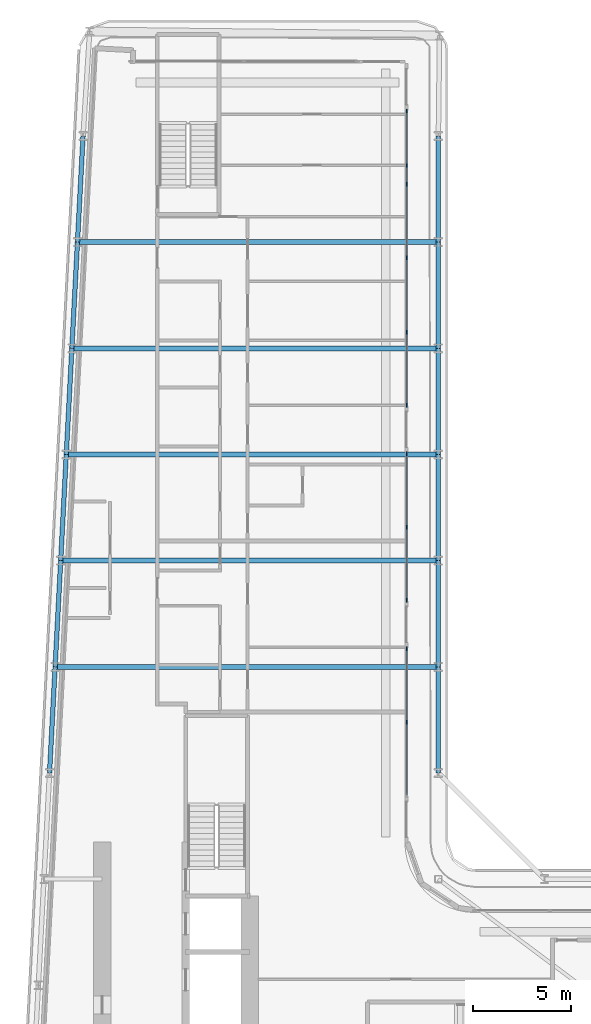
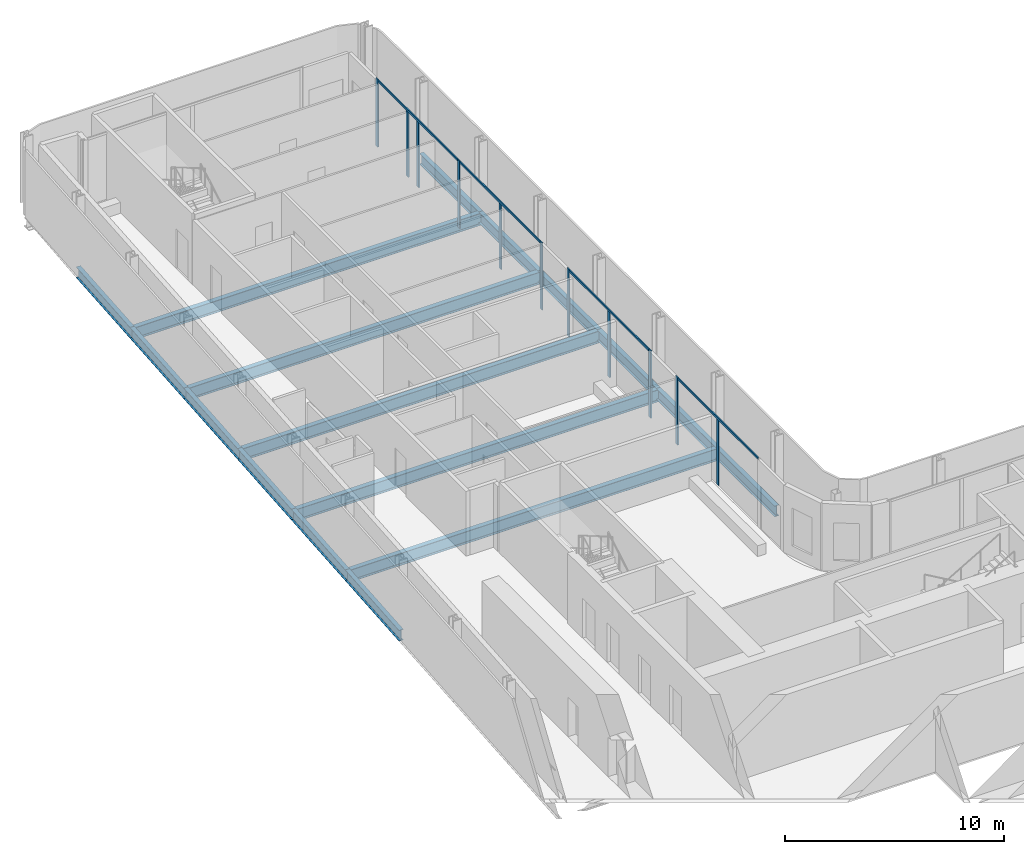
# One storey, part 7 of 27: 17 beams, 15 members, 4 elements without a shape of their own.
"""IFC4 building model written with IfcOpenShell, lengths in metres."""

from ifc_helpers import new_model, si_unit, direction, frame, origin, origin_2d, place, context, subcontext, project, spatial, rectangle, i_section, extrude, material, layer, layer_set, material_profile, profile_set, type_object, element, aggregate, save


model = new_model("IFC4")

# Units and contexts
model_context = context("Model", 3, precision=1e-05, world=origin(), true_north=direction((0.0, 1.0)))
body_context = subcontext(model_context, "Body", "Model", "MODEL_VIEW")
ifc_project = project(units=[si_unit("LENGTHUNIT", "METRE"), si_unit("AREAUNIT", "SQUARE_METRE"), si_unit("VOLUMEUNIT", "CUBIC_METRE"), si_unit("PLANEANGLEUNIT", "RADIAN"), si_unit("MASSUNIT", "GRAM", prefix="KILO")], contexts=[model_context])

# Site, building, storey
site_placement = place(None, origin())
site = spatial("IfcSite", under=ifc_project, at=site_placement, CompositionType="ELEMENT")
building_placement = place(site_placement, origin())
building = spatial("IfcBuilding", under=site, at=building_placement, Name="Kheshtan School and Residences Tower", CompositionType="ELEMENT")
storey_placement = place(building_placement, frame((0.0, 0.0, 98.0)))
storey = spatial("IfcBuildingStorey", under=building, at=storey_placement, Name="L22", CompositionType="ELEMENT", Elevation=98.0)

# Beams
ifc_material_1 = material(Name="Steel ASTM A992 Grade 50", Category="steel")
ifc_material_profile_1 = material_profile(ifc_material_1, i_section(OverallWidth=0.2529296875, OverallDepth=0.677978515625, WebThickness=0.01171875, FlangeThickness=0.016357421875, FilletRadius=0.0146484375, at=origin_2d()), Name="W690x125")
ifc_profile_set_1 = profile_set([ifc_material_profile_1], Name="Steel ASTM A992 Grade 50")
beam_type_1 = type_object("IfcBeamType", Name="Beam FB6 W690x125 ASTM A992 Grade 50", PredefinedType="BEAM", material=ifc_profile_set_1)
beam_1_placement = place(storey_placement, frame((47.60009765625, 72.60009765625, -0.489013671875), z_axis=(-1.0, 0.0, 0.0), x_axis=(0.0, -1.0, 0.0)))
element("IfcBeam", 1, at=beam_1_placement, inside=storey, type_object=beam_type_1, Name="Floor beam C087", PredefinedType="BEAM", context=body_context, shape_type="SweptSolid", body=[
    extrude(i_section(OverallWidth=0.2529296875, OverallDepth=0.677978515625, WebThickness=0.01171875, FlangeThickness=0.016357421875, FilletRadius=0.0146484375, at=origin_2d()), origin(), (0.0, 0.0, 1.0), 18.64208984375),
])
beam_2_placement = place(storey_placement, frame((47.60009765625, 61.800048828125, -0.489013671875), z_axis=(-1.0, 0.0, 0.0), x_axis=(0.0, -1.0, 0.0)))
element("IfcBeam", 2, at=beam_2_placement, inside=storey, type_object=beam_type_1, Name="Floor beam C083", PredefinedType="BEAM", context=body_context, shape_type="SweptSolid", body=[
    extrude(i_section(OverallWidth=0.2529296875, OverallDepth=0.677978515625, WebThickness=0.01171875, FlangeThickness=0.016357421875, FilletRadius=0.0146484375, at=origin_2d()), origin(), (0.0, 0.0, 1.0), 19.210205078125),
])
beam_3_placement = place(storey_placement, frame((28.10595703125, 56.39990234375, -0.489013671875), z_axis=(1.0, 0.0, 0.0), x_axis=(0.0, 1.0, 0.0)))
element("IfcBeam", 3, at=beam_3_placement, inside=storey, type_object=beam_type_1, Name="Floor beam C080", PredefinedType="BEAM", context=body_context, shape_type="SweptSolid", body=[
    extrude(i_section(OverallWidth=0.2529296875, OverallDepth=0.677978515625, WebThickness=0.01171875, FlangeThickness=0.016357421875, FilletRadius=0.0146484375, at=origin_2d()), origin(), (0.0, 0.0, 1.0), 19.494140625),
])
beam_4_placement = place(storey_placement, frame((28.674072265625, 67.199951171875, -0.489013671875), z_axis=(1.0, 0.0, 0.0), x_axis=(0.0, 1.0, 0.0)))
element("IfcBeam", 4, at=beam_4_placement, inside=storey, type_object=beam_type_1, Name="Floor beam C084", PredefinedType="BEAM", context=body_context, shape_type="SweptSolid", body=[
    extrude(i_section(OverallWidth=0.2529296875, OverallDepth=0.677978515625, WebThickness=0.01171875, FlangeThickness=0.016357421875, FilletRadius=0.0146484375, at=origin_2d()), origin(), (0.0, 0.0, 1.0), 18.926025390625),
])
beam_5_placement = place(storey_placement, frame((29.242919921875, 78.0, -0.489013671875), z_axis=(1.0, 0.0, 0.0), x_axis=(0.0, 1.0, 0.0)))
element("IfcBeam", 5, at=beam_5_placement, inside=storey, type_object=beam_type_1, Name="Floor beam C088", PredefinedType="BEAM", context=body_context, shape_type="SweptSolid", body=[
    extrude(i_section(OverallWidth=0.2529296875, OverallDepth=0.677978515625, WebThickness=0.01171875, FlangeThickness=0.016357421875, FilletRadius=0.0146484375, at=origin_2d()), origin(), (0.0, 0.0, 1.0), 18.357177734375),
])
ifc_material_profile_2 = material_profile(ifc_material_1, i_section(OverallWidth=0.22802734375, OverallDepth=0.60302734375, WebThickness=0.010498046875, FlangeThickness=0.014892578125, FilletRadius=0.013427734375, at=origin_2d()), Name="W610x101")
ifc_profile_set_2 = profile_set([ifc_material_profile_2], Name="Steel ASTM A992 Grade 50")
beam_type_2 = type_object("IfcBeamType", Name="Beam SP2 W610x101 ASTM A992 Grade 50", PredefinedType="BEAM", material=ifc_profile_set_2)
for number, where, z_axis, x_axis, name in (
    (6, (47.60009765625, 83.39990234375, -0.451416015625), (0.0, -1.0, 0.0), (1.0, 0.0, 0.0), "Spandrel beam C091-C089"),
    (7, (47.60009765625, 78.0, -0.451416015625), (0.0, -1.0, 0.0), (1.0, 0.0, 0.0), "Spandrel beam C089-C087"),
):
    element("IfcBeam", number, at=place(storey_placement, frame(where, z_axis=z_axis, x_axis=x_axis)), inside=storey, type_object=beam_type_2, Name=name, PredefinedType="BEAM", context=body_context, shape_type="SweptSolid", body=[
        extrude(i_section(OverallWidth=0.22802734375, OverallDepth=0.60302734375, WebThickness=0.010498046875, FlangeThickness=0.014892578125, FilletRadius=0.013427734375, at=origin_2d()), origin(), (0.0, 0.0, 1.0), 5.39990234375),
    ])
beam_6_placement = place(storey_placement, frame((47.60009765625, 72.60009765625, -0.451416015625), z_axis=(0.0, -1.0, 0.0), x_axis=(1.0, 0.0, 0.0)))
element("IfcBeam", 8, at=beam_6_placement, inside=storey, type_object=beam_type_2, Name="Spandrel beam C087-C085", PredefinedType="BEAM", context=body_context, shape_type="SweptSolid", body=[
    extrude(i_section(OverallWidth=0.22802734375, OverallDepth=0.60302734375, WebThickness=0.010498046875, FlangeThickness=0.014892578125, FilletRadius=0.013427734375, at=origin_2d()), origin(), (0.0, 0.0, 1.0), 5.400146484375),
])
beam_7_placement = place(storey_placement, frame((47.60009765625, 67.199951171875, -0.451416015625), z_axis=(0.0, -1.0, 0.0), x_axis=(1.0, 0.0, 0.0)))
element("IfcBeam", 9, at=beam_7_placement, inside=storey, type_object=beam_type_2, Name="Spandrel beam C085-C083", PredefinedType="BEAM", context=body_context, shape_type="SweptSolid", body=[
    extrude(i_section(OverallWidth=0.22802734375, OverallDepth=0.60302734375, WebThickness=0.010498046875, FlangeThickness=0.014892578125, FilletRadius=0.013427734375, at=origin_2d()), origin(), (0.0, 0.0, 1.0), 5.39990234375),
])
beam_8_placement = place(storey_placement, frame((47.60009765625, 61.800048828125, -0.451416015625), z_axis=(0.0, -1.0, 0.0), x_axis=(1.0, 0.0, 0.0)))
element("IfcBeam", 10, at=beam_8_placement, inside=storey, type_object=beam_type_2, Name="Spandrel beam C083-C081", PredefinedType="BEAM", context=body_context, shape_type="SweptSolid", body=[
    extrude(i_section(OverallWidth=0.22802734375, OverallDepth=0.60302734375, WebThickness=0.010498046875, FlangeThickness=0.014892578125, FilletRadius=0.013427734375, at=origin_2d()), origin(), (0.0, 0.0, 1.0), 5.400146484375),
])
beam_9_placement = place(storey_placement, frame((47.60009765625, 56.39990234375, -0.451416015625), z_axis=(0.0, -1.0, 0.0), x_axis=(1.0, 0.0, 0.0)))
element("IfcBeam", 11, at=beam_9_placement, inside=storey, type_object=beam_type_2, Name="Spandrel beam C081-C079", PredefinedType="BEAM", context=body_context, shape_type="SweptSolid", body=[
    extrude(i_section(OverallWidth=0.22802734375, OverallDepth=0.60302734375, WebThickness=0.010498046875, FlangeThickness=0.014892578125, FilletRadius=0.013427734375, at=origin_2d()), origin(), (0.0, 0.0, 1.0), 5.39990234375),
])
beam_10_placement = place(storey_placement, frame((27.822021484375, 51.0, -0.451416015625), z_axis=(0.05250906864, 0.998620447272, 0.0), x_axis=(-0.998620447272, 0.05250906864, 0.0)))
element("IfcBeam", 12, at=beam_10_placement, inside=storey, type_object=beam_type_2, Name="Spandrel beam C078-C080", PredefinedType="BEAM", context=body_context, shape_type="SweptSolid", body=[
    extrude(i_section(OverallWidth=0.22802734375, OverallDepth=0.60302734375, WebThickness=0.010498046875, FlangeThickness=0.014892578125, FilletRadius=0.013427734375, at=origin_2d()), origin(), (0.0, 0.0, 1.0), 5.407470703125),
])
beam_11_placement = place(storey_placement, frame((28.10595703125, 56.39990234375, -0.451416015625), z_axis=(0.05250670125, 0.998620571751, 0.0), x_axis=(-0.998620571751, 0.05250670125, 0.0)))
element("IfcBeam", 13, at=beam_11_placement, inside=storey, type_object=beam_type_2, Name="Spandrel beam C080-C082", PredefinedType="BEAM", context=body_context, shape_type="SweptSolid", body=[
    extrude(i_section(OverallWidth=0.22802734375, OverallDepth=0.60302734375, WebThickness=0.010498046875, FlangeThickness=0.014892578125, FilletRadius=0.013427734375, at=origin_2d()), origin(), (0.0, 0.0, 1.0), 5.40771484375),
])
beam_12_placement = place(storey_placement, frame((28.389892578125, 61.800048828125, -0.451416015625), z_axis=(0.052554093665, 0.998618078766, 0.0), x_axis=(-0.998618078766, 0.052554093665, 0.0)))
element("IfcBeam", 14, at=beam_12_placement, inside=storey, type_object=beam_type_2, Name="Spandrel beam C082-C084", PredefinedType="BEAM", context=body_context, shape_type="SweptSolid", body=[
    extrude(i_section(OverallWidth=0.22802734375, OverallDepth=0.60302734375, WebThickness=0.010498046875, FlangeThickness=0.014892578125, FilletRadius=0.013427734375, at=origin_2d()), origin(), (0.0, 0.0, 1.0), 5.407470703125),
])
beam_13_placement = place(storey_placement, frame((28.674072265625, 67.199951171875, -0.451416015625), z_axis=(0.05250670125, 0.998620571751, 0.0), x_axis=(-0.998620571751, 0.05250670125, 0.0)))
element("IfcBeam", 15, at=beam_13_placement, inside=storey, type_object=beam_type_2, Name="Spandrel beam C084-C086", PredefinedType="BEAM", context=body_context, shape_type="SweptSolid", body=[
    extrude(i_section(OverallWidth=0.22802734375, OverallDepth=0.60302734375, WebThickness=0.010498046875, FlangeThickness=0.014892578125, FilletRadius=0.013427734375, at=origin_2d()), origin(), (0.0, 0.0, 1.0), 5.40771484375),
])
for number, where, z_axis, x_axis, name in (
    (16, (28.9580078125, 72.60009765625, -0.451416015625), (0.052689166816, 0.998610961136, 0.0), (-0.998610961136, 0.052689166816, 0.0), "Spandrel beam C086-C088"),
    (17, (29.242919921875, 78.0, -0.451416015625), (0.052554093665, 0.998618078766, 0.0), (-0.998618078766, 0.052554093665, 0.0), "Spandrel beam C088-C090"),
):
    element("IfcBeam", number, at=place(storey_placement, frame(where, z_axis=z_axis, x_axis=x_axis)), inside=storey, type_object=beam_type_2, Name=name, PredefinedType="BEAM", context=body_context, shape_type="SweptSolid", body=[
        extrude(i_section(OverallWidth=0.22802734375, OverallDepth=0.60302734375, WebThickness=0.010498046875, FlangeThickness=0.014892578125, FilletRadius=0.013427734375, at=origin_2d()), origin(), (0.0, 0.0, 1.0), 5.407470703125),
    ])

# Curtain wall, members
ifc_material_2 = material(Name="Clear low-e glass in thermally broken aluminium frame", Category="aluminium")
ifc_layer = layer(ifc_material_2, 0.199951171875)
ifc_layer_set = layer_set([ifc_layer], Name="Curtain wall CW-L")
curtain_wall_type = type_object("IfcCurtainWallType", Name="Curtain wall CW-L", PredefinedType="NOTDEFINED", material=ifc_layer_set)
curtain_wall_1_placement = place(storey_placement, origin())
curtain_wall_1 = element("IfcCurtainWall", 18, at=curtain_wall_1_placement, inside=storey, type_object=curtain_wall_type, Name="Curtain wall CWL4", PredefinedType="NOTDEFINED")
ifc_material_3 = material(Name="Thermally broken aluminium, dark bronze anodised", Category="aluminium")
ifc_material_profile_3 = material_profile(ifc_material_3, rectangle(XDim=0.06005859375, YDim=0.199951171875, at=origin_2d()), Name="CW-L mullion 60x200")
ifc_profile_set_3 = profile_set([ifc_material_profile_3], Name="Thermally broken aluminium, dark bronze anodised")
member_type_1 = type_object("IfcMemberType", Name="CW-L mullion 60x200", PredefinedType="MULLION", material=ifc_profile_set_3)
member_1_placement = place(storey_placement, frame((46.0, 84.669921875, 0.0), z_axis=(0.0, 0.0, 1.0), x_axis=(1.0, 0.0, 0.0)))
member_1 = element("IfcMember", 19, at=member_1_placement, type_object=member_type_1, Name="CWL4 mullion 1", PredefinedType="MULLION", context=body_context, shape_type="SweptSolid", body=[
    extrude(rectangle(XDim=0.06005859375, YDim=0.199951171875, at=origin_2d()), origin(), (0.0, 0.0, 1.0), 3.75),
])
member_2_placement = place(storey_placement, frame((46.0, 81.89990234375, 0.0), z_axis=(0.0, 0.0, 1.0), x_axis=(1.0, 0.0, 0.0)))
member_2 = element("IfcMember", 20, at=member_2_placement, type_object=member_type_1, Name="CWL4 mullion 2", PredefinedType="MULLION", context=body_context, shape_type="SweptSolid", body=[
    extrude(rectangle(XDim=0.06005859375, YDim=0.199951171875, at=origin_2d()), origin(), (0.0, 0.0, 1.0), 3.6298828125),
])
member_3_placement = place(storey_placement, frame((46.0, 80.941162109375, 0.0), z_axis=(0.0, 0.0, 1.0), x_axis=(1.0, 0.0, 0.0)))
member_3 = element("IfcMember", 21, at=member_3_placement, type_object=member_type_1, Name="CWL4 mullion 3", PredefinedType="MULLION", context=body_context, shape_type="SweptSolid", body=[
    extrude(rectangle(XDim=0.06005859375, YDim=0.199951171875, at=origin_2d()), origin(), (0.0, 0.0, 1.0), 3.6298828125),
])
member_4_placement = place(storey_placement, frame((46.0, 77.21240234375, 0.0), z_axis=(0.0, 0.0, 1.0), x_axis=(1.0, 0.0, 0.0)))
member_4 = element("IfcMember", 22, at=member_4_placement, type_object=member_type_1, Name="CWL4 mullion 4", PredefinedType="MULLION", context=body_context, shape_type="SweptSolid", body=[
    extrude(rectangle(XDim=0.06005859375, YDim=0.199951171875, at=origin_2d()), origin(), (0.0, 0.0, 1.0), 3.75),
])

curtain_wall_2_placement = place(storey_placement, origin())
curtain_wall_2 = element("IfcCurtainWall", 23, at=curtain_wall_2_placement, inside=storey, type_object=curtain_wall_type, Name="Curtain wall CWL4a", PredefinedType="NOTDEFINED")
member_5_placement = place(storey_placement, frame((46.0, 73.423828125, 0.0), z_axis=(0.0, 0.0, 1.0), x_axis=(1.0, 0.0, 0.0)))
member_5 = element("IfcMember", 24, at=member_5_placement, type_object=member_type_1, Name="CWL4a mullion 2", PredefinedType="MULLION", context=body_context, shape_type="SweptSolid", body=[
    extrude(rectangle(XDim=0.06005859375, YDim=0.199951171875, at=origin_2d()), origin(), (0.0, 0.0, 1.0), 3.6298828125),
])
member_6_placement = place(storey_placement, frame((46.0, 69.695068359375, 0.0), z_axis=(0.0, 0.0, 1.0), x_axis=(1.0, 0.0, 0.0)))
member_6 = element("IfcMember", 25, at=member_6_placement, type_object=member_type_1, Name="CWL4a mullion 3", PredefinedType="MULLION", context=body_context, shape_type="SweptSolid", body=[
    extrude(rectangle(XDim=0.06005859375, YDim=0.199951171875, at=origin_2d()), origin(), (0.0, 0.0, 1.0), 3.75),
])

curtain_wall_3_placement = place(storey_placement, origin())
curtain_wall_3 = element("IfcCurtainWall", 26, at=curtain_wall_3_placement, inside=storey, type_object=curtain_wall_type, Name="Curtain wall CWL4a", PredefinedType="NOTDEFINED")
member_7_placement = place(storey_placement, frame((46.0, 67.235107421875, 0.0), z_axis=(0.0, 0.0, 1.0), x_axis=(1.0, 0.0, 0.0)))
member_7 = element("IfcMember", 27, at=member_7_placement, type_object=member_type_1, Name="CWL4a mullion 1", PredefinedType="MULLION", context=body_context, shape_type="SweptSolid", body=[
    extrude(rectangle(XDim=0.06005859375, YDim=0.199951171875, at=origin_2d()), origin(), (0.0, 0.0, 1.0), 3.75),
])
member_8_placement = place(storey_placement, frame((46.0, 63.50634765625, 0.0), z_axis=(0.0, 0.0, 1.0), x_axis=(1.0, 0.0, 0.0)))
member_8 = element("IfcMember", 28, at=member_8_placement, type_object=member_type_1, Name="CWL4a mullion 2", PredefinedType="MULLION", context=body_context, shape_type="SweptSolid", body=[
    extrude(rectangle(XDim=0.06005859375, YDim=0.199951171875, at=origin_2d()), origin(), (0.0, 0.0, 1.0), 3.6298828125),
])
member_9_placement = place(storey_placement, frame((46.0, 59.777587890625, 0.0), z_axis=(0.0, 0.0, 1.0), x_axis=(1.0, 0.0, 0.0)))
member_9 = element("IfcMember", 29, at=member_9_placement, type_object=member_type_1, Name="CWL4a mullion 3", PredefinedType="MULLION", context=body_context, shape_type="SweptSolid", body=[
    extrude(rectangle(XDim=0.06005859375, YDim=0.199951171875, at=origin_2d()), origin(), (0.0, 0.0, 1.0), 3.75),
])

curtain_wall_4_placement = place(storey_placement, origin())
curtain_wall_4 = element("IfcCurtainWall", 30, at=curtain_wall_4_placement, inside=storey, type_object=curtain_wall_type, Name="Curtain wall CWL4a", PredefinedType="NOTDEFINED")
member_10_placement = place(storey_placement, frame((46.0, 57.3173828125, 0.0), z_axis=(0.0, 0.0, 1.0), x_axis=(1.0, 0.0, 0.0)))
member_10 = element("IfcMember", 31, at=member_10_placement, type_object=member_type_1, Name="CWL4a mullion 1", PredefinedType="MULLION", context=body_context, shape_type="SweptSolid", body=[
    extrude(rectangle(XDim=0.06005859375, YDim=0.199951171875, at=origin_2d()), origin(), (0.0, 0.0, 1.0), 3.75),
])
member_11_placement = place(storey_placement, frame((46.0, 53.5888671875, 0.0), z_axis=(0.0, 0.0, 1.0), x_axis=(1.0, 0.0, 0.0)))
member_11 = element("IfcMember", 32, at=member_11_placement, type_object=member_type_1, Name="CWL4a mullion 2", PredefinedType="MULLION", context=body_context, shape_type="SweptSolid", body=[
    extrude(rectangle(XDim=0.06005859375, YDim=0.199951171875, at=origin_2d()), origin(), (0.0, 0.0, 1.0), 3.6298828125),
])

# Member
ifc_material_profile_4 = material_profile(ifc_material_3, rectangle(XDim=0.06005859375, YDim=0.1201171875, at=origin_2d()), Name="CW-L transom 60x120")
ifc_profile_set_4 = profile_set([ifc_material_profile_4], Name="Thermally broken aluminium, dark bronze anodised")
member_type_2 = type_object("IfcMemberType", Name="CW-L transom 60x120", PredefinedType="USERDEFINED", material=ifc_profile_set_4)
member_12_placement = place(storey_placement, frame((46.0, 84.639892578125, 3.68994140625), z_axis=(0.0, -1.0, 0.0), x_axis=(1.0, 0.0, 0.0)))
member_12 = element("IfcMember", 33, at=member_12_placement, type_object=member_type_2, Name="CWL4 transom 1", ObjectType="TRANSOM", PredefinedType="USERDEFINED", context=body_context, shape_type="SweptSolid", body=[
    extrude(rectangle(XDim=0.06005859375, YDim=0.1201171875, at=origin_2d()), origin(), (0.0, 0.0, 1.0), 7.3974609375),
])

aggregate(curtain_wall_1, [member_1, member_2, member_3, member_4, member_12])

member_13_placement = place(storey_placement, frame((46.0, 77.1826171875, 3.68994140625), z_axis=(0.0, -1.0, 0.0), x_axis=(1.0, 0.0, 0.0)))
member_13 = element("IfcMember", 34, at=member_13_placement, type_object=member_type_2, Name="CWL4a transom 1", ObjectType="TRANSOM", PredefinedType="USERDEFINED", context=body_context, shape_type="SweptSolid", body=[
    extrude(rectangle(XDim=0.06005859375, YDim=0.1201171875, at=origin_2d()), origin(), (0.0, 0.0, 1.0), 7.45751953125),
])

aggregate(curtain_wall_2, [member_5, member_6, member_13])

member_14_placement = place(storey_placement, frame((46.0, 67.205078125, 3.68994140625), z_axis=(0.0, -1.0, 0.0), x_axis=(1.0, 0.0, 0.0)))
member_14 = element("IfcMember", 35, at=member_14_placement, type_object=member_type_2, Name="CWL4a transom 1", ObjectType="TRANSOM", PredefinedType="USERDEFINED", context=body_context, shape_type="SweptSolid", body=[
    extrude(rectangle(XDim=0.06005859375, YDim=0.1201171875, at=origin_2d()), origin(), (0.0, 0.0, 1.0), 7.3974609375),
])

aggregate(curtain_wall_3, [member_7, member_8, member_9, member_14])

member_15_placement = place(storey_placement, frame((46.0, 57.28759765625, 3.68994140625), z_axis=(0.0, -1.0, 0.0), x_axis=(1.0, 0.0, 0.0)))
member_15 = element("IfcMember", 36, at=member_15_placement, type_object=member_type_2, Name="CWL4a transom 1", ObjectType="TRANSOM", PredefinedType="USERDEFINED", context=body_context, shape_type="SweptSolid", body=[
    extrude(rectangle(XDim=0.06005859375, YDim=0.1201171875, at=origin_2d()), origin(), (0.0, 0.0, 1.0), 7.397705078125),
])

aggregate(curtain_wall_4, [member_10, member_11, member_15])

save(model, "model.ifc")
